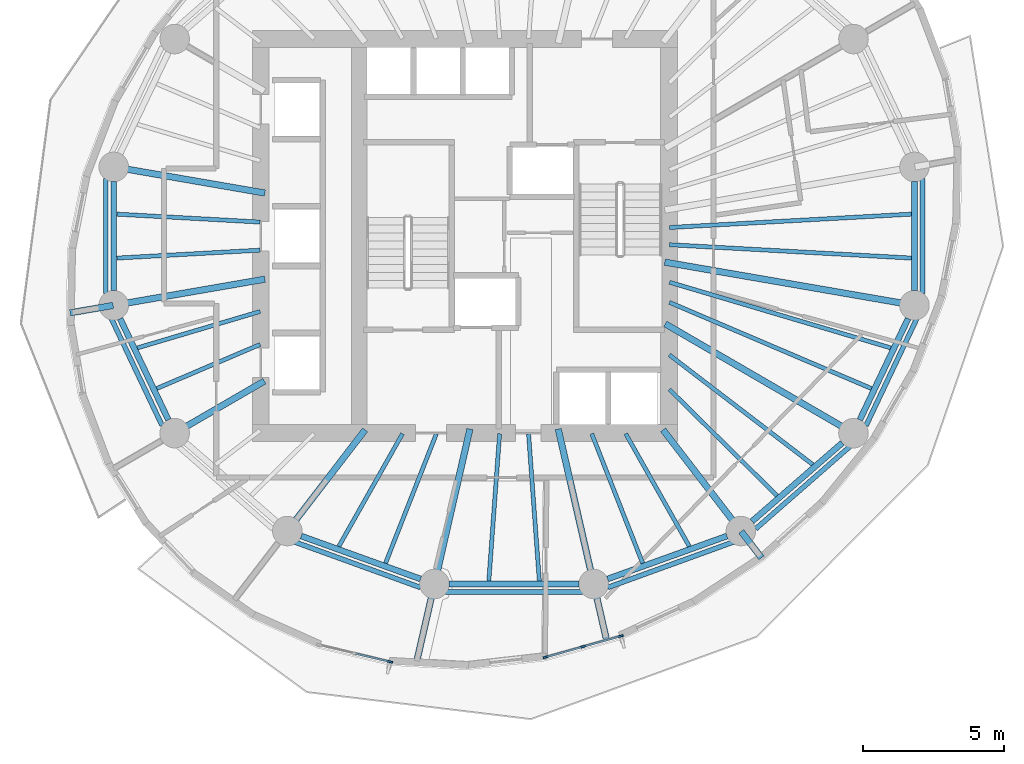
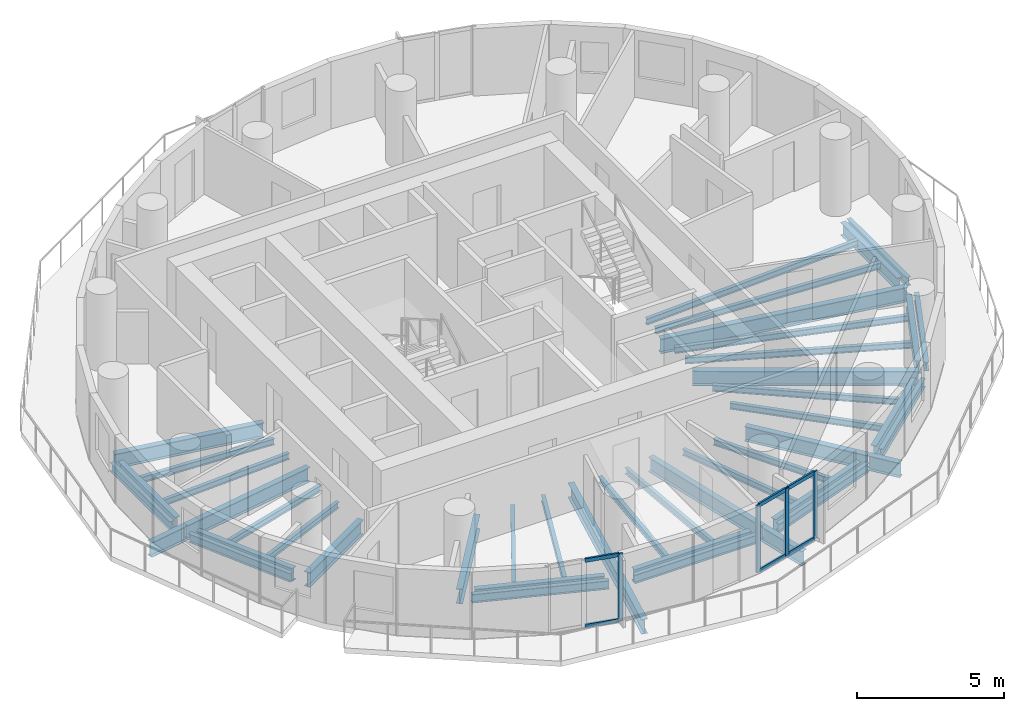
# One storey, part 2 of 13: 45 beams, 10 members, 2 elements without a shape of their own.
"""IFC4 building model written with IfcOpenShell, lengths in metres."""

import ifcopenshell
import ifcopenshell.guid

model = None  # the IFC model being written
_history = None  # IfcOwnerHistory: only IFC2X3 demands one
_inside = {}  # id of a spatial element -> (the spatial element, [elements in it])
_under = {}  # id of a project, library or spatial element -> (it, [spatial elements below it])
_declared = {}  # id of a project -> (the project, [libraries it declares])
_typed = {}  # id of a type object -> (the type object, [elements of that type])
_made_of = {}  # id of a material, layer set ... -> (it, [elements and type objects made of it])


def new_model(schema):
    """Start an empty IFC model of exactly this schema.

    Asked for "IFC4X3", IfcOpenShell would pick the latest addendum, in which some entities
    have other attributes; the version numbers below select the first issue.
    IFC2X3 requires an IfcOwnerHistory on every rooted entity: one is made here for all.
    """
    global model, _history
    if schema == "IFC4X3":
        model = ifcopenshell.file(schema_version=(4, 3, 0, 0))
    else:
        model = ifcopenshell.file(schema=schema)
    _inside.clear()
    _under.clear()
    _declared.clear()
    _typed.clear()
    _made_of.clear()
    _history = None
    if model.schema == "IFC2X3":
        org = make("IfcOrganization", Name="unknown")
        user = make(
            "IfcPersonAndOrganization",
            ThePerson=make("IfcPerson", FamilyName="unknown"),
            TheOrganization=org,
        )
        app = make(
            "IfcApplication",
            ApplicationDeveloper=org,
            Version="unknown",
            ApplicationFullName="unknown",
            ApplicationIdentifier="unknown",
        )
        _history = make(
            "IfcOwnerHistory",
            OwningUser=user,
            OwningApplication=app,
            ChangeAction="ADDED",
            CreationDate=0,
        )
    return model


def make(cls, **values):
    """One entity of the class cls with the attributes given. An attribute that is None is left unset."""
    return model.create_entity(
        cls, **{name: value for name, value in values.items() if value is not None}
    )


def rooted(cls, **values):
    """An entity with a GlobalId (a new one), such as an element, a storey or a relation."""
    return make(cls, GlobalId=ifcopenshell.guid.new(), OwnerHistory=_history, **values)


def si_unit(unit_type, name, prefix=None):
    """IfcSIUnit, for example si_unit("LENGTHUNIT", "METRE", prefix="MILLI")."""
    return make("IfcSIUnit", UnitType=unit_type, Prefix=prefix, Name=name)


def assignment(units):
    """IfcUnitAssignment: the units of a project."""
    return None if units is None else make("IfcUnitAssignment", Units=units)


def point(xyz):
    """IfcCartesianPoint."""
    return None if xyz is None else make("IfcCartesianPoint", Coordinates=xyz)


def direction(xyz):
    """IfcDirection."""
    return None if xyz is None else make("IfcDirection", DirectionRatios=xyz)


def frame(location, z_axis=None, x_axis=None):
    """IfcAxis2Placement3D, a coordinate frame: its origin and axes. An axis left out is left unset."""
    return make(
        "IfcAxis2Placement3D",
        Location=point(location),
        Axis=direction(z_axis),
        RefDirection=direction(x_axis),
    )


def frame_2d(location, x_axis=None):
    """IfcAxis2Placement2D, a coordinate frame in the plane: its origin and x axis."""
    return make(
        "IfcAxis2Placement2D", Location=point(location), RefDirection=direction(x_axis)
    )


def origin():
    """The frame at (0, 0, 0) with its axes left unset."""
    return frame((0.0, 0.0, 0.0))


def origin_2d():
    """The frame at (0, 0) in the plane with its x axis left unset."""
    return frame_2d((0.0, 0.0))


def place(relative_to, where):
    """IfcLocalPlacement: puts the frame where relative to a parent placement (None: the world)."""
    return make(
        "IfcLocalPlacement", PlacementRelTo=relative_to, RelativePlacement=where
    )


def context(
    kind, dimensions, precision=None, world=None, true_north=None, identifier=None
):
    """IfcGeometricRepresentationContext, for example the 3D "Model" context."""
    return make(
        "IfcGeometricRepresentationContext",
        ContextIdentifier=identifier,
        ContextType=kind,
        CoordinateSpaceDimension=dimensions,
        Precision=precision,
        WorldCoordinateSystem=world,
        TrueNorth=true_north,
    )


def subcontext(parent, identifier, kind, view, scale=None):
    """IfcGeometricRepresentationSubContext, for example "Body" below "Model"."""
    return make(
        "IfcGeometricRepresentationSubContext",
        ContextIdentifier=identifier,
        ContextType=kind,
        ParentContext=parent,
        TargetScale=scale,
        TargetView=view,
    )


def project(units=None, contexts=None):
    """IfcProject with its units and contexts."""
    return rooted(
        "IfcProject",
        Name="project",
        RepresentationContexts=contexts,
        UnitsInContext=assignment(units),
    )


def spatial(cls, under=None, at=None, **own):
    """A site, building, storey or space (cls), placed at a placement, below another one or the project."""
    s = rooted(cls, ObjectPlacement=at, **own)
    if under is not None:
        _under.setdefault(under.id(), (under, []))[1].append(s)
    return s


def profile(cls, at=None, kind="AREA", **sizes):
    """A parametric profile (cls). Its sizes go by their IFC names, for example OverallWidth=200.0."""
    return make(cls, ProfileType=kind, Position=at, **sizes)


def rectangle(**sizes):
    """IfcRectangleProfileDef."""
    return profile("IfcRectangleProfileDef", **sizes)


def i_section(**sizes):
    """IfcIShapeProfileDef."""
    return profile("IfcIShapeProfileDef", **sizes)


def extrude(swept, where, along, depth):
    """IfcExtrudedAreaSolid: the profile swept, set in the frame where, extruded along a direction by depth."""
    return make(
        "IfcExtrudedAreaSolid",
        SweptArea=swept,
        Position=where,
        ExtrudedDirection=direction(along),
        Depth=depth,
    )


def shape(context_of_items, identifier, shape_type, items):
    """IfcShapeRepresentation: the items that make up one representation, for example the "Body"."""
    return make(
        "IfcShapeRepresentation",
        ContextOfItems=context_of_items,
        RepresentationIdentifier=identifier,
        RepresentationType=shape_type,
        Items=items,
    )


def material(Name=None, Category=None):
    """IfcMaterial."""
    return make("IfcMaterial", Name=Name, Category=Category)


def material_profile(
    of_material, cross_section, Name=None, Category=None, Priority=None
):
    """IfcMaterialProfile: a cross section and its material."""
    return make(
        "IfcMaterialProfile",
        Name=Name,
        Material=of_material,
        Profile=cross_section,
        Priority=Priority,
        Category=Category,
    )


def profile_set(profiles, Name=None, composite=None):
    """IfcMaterialProfileSet."""
    return make(
        "IfcMaterialProfileSet",
        Name=Name,
        MaterialProfiles=profiles,
        CompositeProfile=composite,
    )


def made_of(thing, what):
    """Note that an element or type object is made of a material, layer set ...; save() writes the relation."""
    if what is not None:
        _made_of.setdefault(what.id(), (what, []))[1].append(thing)
    return thing


def type_object(cls, material=None, **own):
    """A type object (cls), such as IfcWallType, which elements share."""
    return made_of(rooted(cls, **own), material)


def element(
    cls,
    number,
    at=None,
    inside=None,
    cuts=None,
    type_object=None,
    material=None,
    context=None,
    identifier="Body",
    shape_type=None,
    held_by="IfcProductDefinitionShape",
    body=None,
    shapes=None,
    **own,
):
    """One element of the class cls, such as IfcWall. Its Tag is "e" and its number.

    at: its placement. inside: the storey or other place that contains it. cuts: it is an
    opening in that element (IfcRelVoidsElement). A single representation is given by context,
    identifier, shape_type and body (its items); several are given by shapes. held_by: the class
    of the entity that holds the representations. save() writes the other relations.
    """
    e = rooted(cls, Tag="e%d" % number, ObjectPlacement=at, **own)
    if body is not None:
        shapes = [shape(context, identifier, shape_type, body)]
    if shapes is not None:
        e.Representation = make(held_by, Representations=shapes)
    if inside is not None:
        _inside.setdefault(inside.id(), (inside, []))[1].append(e)
    if cuts is not None:
        rooted(
            "IfcRelVoidsElement", RelatingBuildingElement=cuts, RelatedOpeningElement=e
        )
    if type_object is not None:
        _typed.setdefault(type_object.id(), (type_object, []))[1].append(e)
    return made_of(e, material)


def aggregate(whole, parts):
    """IfcRelAggregates: a whole, such as a stair, and the parts it consists of."""
    return rooted("IfcRelAggregates", RelatingObject=whole, RelatedObjects=parts)


def save(model, path):
    """Write the relations noted so far, then the file.

    IfcRelAggregates (storeys below a building ...), IfcRelContainedInSpatialStructure (elements
    in a storey), IfcRelDefinesByType, IfcRelAssociatesMaterial and IfcRelDeclares: one each for
    every whole, place, type object, material and project.
    """
    for whole, parts in _under.values():
        aggregate(whole, parts)
    for where, things in _inside.values():
        rooted(
            "IfcRelContainedInSpatialStructure",
            RelatedElements=things,
            RelatingStructure=where,
        )
    for kind, things in _typed.values():
        rooted("IfcRelDefinesByType", RelatedObjects=things, RelatingType=kind)
    for what, things in _made_of.values():
        rooted("IfcRelAssociatesMaterial", RelatedObjects=things, RelatingMaterial=what)
    for by, libraries in _declared.values():
        rooted("IfcRelDeclares", RelatingContext=by, RelatedDefinitions=libraries)
    model.write(path)


model = new_model("IFC4")

# Units and contexts
model_context = context("Model", 3, precision=1e-05, world=origin(), true_north=direction((0.0, 1.0)))
body_context = subcontext(model_context, "Body", "Model", "MODEL_VIEW")
ifc_project = project(units=[si_unit("LENGTHUNIT", "METRE"), si_unit("AREAUNIT", "SQUARE_METRE"), si_unit("VOLUMEUNIT", "CUBIC_METRE"), si_unit("PLANEANGLEUNIT", "RADIAN"), si_unit("MASSUNIT", "GRAM", prefix="KILO")], contexts=[model_context])

# Site, building, storey
site_placement = place(None, origin())
site = spatial("IfcSite", under=ifc_project, at=site_placement, CompositionType="ELEMENT")
building_placement = place(site_placement, origin())
building = spatial("IfcBuilding", under=site, at=building_placement, Name="Veldorim Arch Residences", CompositionType="ELEMENT")
storey_placement = place(building_placement, frame((0.0, 0.0, 155.360107421875)))
storey = spatial("IfcBuildingStorey", under=building, at=storey_placement, Name="L46", CompositionType="ELEMENT", Elevation=155.360107421875)

# Beams
ifc_material_1 = material(Name="Steel S355", Category="steel")
ifc_material_profile_1 = material_profile(ifc_material_1, i_section(OverallWidth=0.2099609375, OverallDepth=0.53662109375, WebThickness=0.0107421875, FlangeThickness=0.017333984375, at=origin_2d()), Name="UB533x210x101")
ifc_profile_set_1 = profile_set([ifc_material_profile_1], Name="Steel S355")
beam_type_1 = type_object("IfcBeamType", Name="Structural Steel Beam UB533x210x101", PredefinedType="BEAM", material=ifc_profile_set_1)
beam_1_placement = place(storey_placement, frame((17.778564453125, 25.93310546875, -0.50830078125), z_axis=(0.0, -1.0, 0.0), x_axis=(1.0, 0.0, 0.0)))
element("IfcBeam", 1, at=beam_1_placement, inside=storey, type_object=beam_type_1, Name="L46 perimeter ring tie beam 08", PredefinedType="BEAM", context=body_context, shape_type="SweptSolid", body=[
    extrude(i_section(OverallWidth=0.2099609375, OverallDepth=0.53662109375, WebThickness=0.0107421875, FlangeThickness=0.017333984375, at=origin_2d()), origin(), (0.0, 0.0, 1.0), 3.8662109375),
])
beam_2_placement = place(storey_placement, frame((18.00439453125, 21.068115234375, -0.50830078125), z_axis=(0.43028577851, -0.902692721147, 0.0), x_axis=(0.902692721147, 0.43028577851, 0.0)))
element("IfcBeam", 2, at=beam_2_placement, inside=storey, type_object=beam_type_1, Name="L46 perimeter ring tie beam 09", PredefinedType="BEAM", context=body_context, shape_type="SweptSolid", body=[
    extrude(i_section(OverallWidth=0.2099609375, OverallDepth=0.53662109375, WebThickness=0.0107421875, FlangeThickness=0.017333984375, at=origin_2d()), origin(), (0.0, 0.0, 1.0), 3.98193359375),
])
beam_3_placement = place(storey_placement, frame((24.438232421875, 13.345703125, -0.50830078125), z_axis=(0.940899155006, -0.338686846673, 0.0), x_axis=(0.338686846673, 0.940899155006, 0.0)))
element("IfcBeam", 3, at=beam_3_placement, inside=storey, type_object=beam_type_1, Name="L46 perimeter ring tie beam 11", PredefinedType="BEAM", context=body_context, shape_type="SweptSolid", body=[
    extrude(i_section(OverallWidth=0.2099609375, OverallDepth=0.53662109375, WebThickness=0.0107421875, FlangeThickness=0.017333984375, at=origin_2d()), origin(), (0.0, 0.0, 1.0), 4.50537109375),
])
beam_4_placement = place(storey_placement, frame((29.6962890625, 11.64208984375, -0.50830078125), z_axis=(1.0, 0.0, 0.0), x_axis=(0.0, 1.0, 0.0)))
element("IfcBeam", 4, at=beam_4_placement, inside=storey, type_object=beam_type_1, Name="L46 perimeter ring tie beam 12", PredefinedType="BEAM", context=body_context, shape_type="SweptSolid", body=[
    extrude(i_section(OverallWidth=0.2099609375, OverallDepth=0.53662109375, WebThickness=0.0107421875, FlangeThickness=0.017333984375, at=origin_2d()), origin(), (0.0, 0.0, 1.0), 4.607421875),
])
beam_5_placement = place(storey_placement, frame((35.32275390625, 11.81982421875, -0.50830078125), z_axis=(0.940899155006, 0.338686846673, 0.0), x_axis=(-0.338686846673, 0.940899155006, 0.0)))
element("IfcBeam", 5, at=beam_5_placement, inside=storey, type_object=beam_type_1, Name="L46 perimeter ring tie beam 13", PredefinedType="BEAM", context=body_context, shape_type="SweptSolid", body=[
    extrude(i_section(OverallWidth=0.2099609375, OverallDepth=0.53662109375, WebThickness=0.0107421875, FlangeThickness=0.017333984375, at=origin_2d()), origin(), (0.0, 0.0, 1.0), 4.50537109375),
])
beam_6_placement = place(storey_placement, frame((40.4521484375, 13.867919921875, -0.50830078125), z_axis=(0.754810789581, 0.655942582802, 0.0), x_axis=(-0.655942582802, 0.754810789581, 0.0)))
element("IfcBeam", 6, at=beam_6_placement, inside=storey, type_object=beam_type_1, Name="L46 perimeter ring tie beam 14", PredefinedType="BEAM", context=body_context, shape_type="SweptSolid", body=[
    extrude(i_section(OverallWidth=0.2099609375, OverallDepth=0.53662109375, WebThickness=0.0107421875, FlangeThickness=0.017333984375, at=origin_2d()), origin(), (0.0, 0.0, 1.0), 4.249755859375),
])
beam_7_placement = place(storey_placement, frame((44.2822265625, 17.4736328125, -0.50830078125), z_axis=(0.43028577851, 0.902692721147, 0.0), x_axis=(-0.902692721147, 0.43028577851, 0.0)))
element("IfcBeam", 7, at=beam_7_placement, inside=storey, type_object=beam_type_1, Name="L46 perimeter ring tie beam 15", PredefinedType="BEAM", context=body_context, shape_type="SweptSolid", body=[
    extrude(i_section(OverallWidth=0.2099609375, OverallDepth=0.53662109375, WebThickness=0.0107421875, FlangeThickness=0.017333984375, at=origin_2d()), origin(), (0.0, 0.0, 1.0), 3.98193359375),
])
beam_8_placement = place(storey_placement, frame((46.221435546875, 22.06689453125, -0.50830078125), z_axis=(0.0, 1.0, 0.0), x_axis=(-1.0, 0.0, 0.0)))
element("IfcBeam", 8, at=beam_8_placement, inside=storey, type_object=beam_type_1, Name="L46 perimeter ring tie beam 16", PredefinedType="BEAM", context=body_context, shape_type="SweptSolid", body=[
    extrude(i_section(OverallWidth=0.2099609375, OverallDepth=0.53662109375, WebThickness=0.0107421875, FlangeThickness=0.017333984375, at=origin_2d()), origin(), (0.0, 0.0, 1.0), 3.8662109375),
])
ifc_material_2 = material(Name="Steel S355", Category="steel")
ifc_material_profile_2 = material_profile(ifc_material_2, i_section(OverallWidth=0.22900390625, OverallDepth=0.6123046875, WebThickness=0.011962890625, FlangeThickness=0.01953125, at=origin_2d()), Name="UB610x229x125")
ifc_profile_set_2 = profile_set([ifc_material_profile_2], Name="Steel S355")
beam_type_2 = type_object("IfcBeamType", Name="Structural Steel Beam UB610x229x125", PredefinedType="BEAM", material=ifc_profile_set_2)
for number, where, z_axis, x_axis, name in (
    (9, (23.147705078125, 25.530029296875, -0.546142578125), (-0.985390445301, 0.170310511449, 0.0), (-0.170310511449, -0.985390445301, 0.0), "L46 radial floor girder 08"),
    (10, (23.147705078125, 22.469970703125, -0.546142578125), (-0.985390445301, -0.170310511449, 0.0), (0.170310511449, -0.985390445301, 0.0), "L46 radial floor girder 09"),
):
    element("IfcBeam", number, at=place(storey_placement, frame(where, z_axis=z_axis, x_axis=x_axis)), inside=storey, type_object=beam_type_2, Name=name, PredefinedType="BEAM", context=body_context, shape_type="SweptSolid", body=[
        extrude(i_section(OverallWidth=0.22900390625, OverallDepth=0.6123046875, WebThickness=0.011962890625, FlangeThickness=0.01953125, at=origin_2d()), origin(), (0.0, 0.0, 1.0), 5.4287109375),
    ])
beam_9_placement = place(storey_placement, frame((17.7587890625, 21.53857421875, -0.546142578125), z_axis=(-0.985381977132, -0.170359499715, 0.0), x_axis=(0.170359499715, -0.985381977132, 0.0)))
element("IfcBeam", 11, at=beam_9_placement, inside=storey, type_object=beam_type_2, Name="L46 radial edge cantilever girder 09", PredefinedType="BEAM", context=body_context, shape_type="SweptSolid", body=[
    extrude(i_section(OverallWidth=0.22900390625, OverallDepth=0.6123046875, WebThickness=0.011962890625, FlangeThickness=0.01953125, at=origin_2d()), origin(), (0.0, 0.0, 1.0), 1.553466796875),
])
beam_10_placement = place(storey_placement, frame((23.129638671875, 18.849609375, -0.546142578125), z_axis=(-0.864794546612, -0.502125872815, 0.0), x_axis=(0.502125872815, -0.864794546612, 0.0)))
element("IfcBeam", 12, at=beam_10_placement, inside=storey, type_object=beam_type_2, Name="L46 radial floor girder 10", PredefinedType="BEAM", context=body_context, shape_type="SweptSolid", body=[
    extrude(i_section(OverallWidth=0.22900390625, OverallDepth=0.6123046875, WebThickness=0.011962890625, FlangeThickness=0.01953125, at=origin_2d()), origin(), (0.0, 0.0, 1.0), 3.6640625),
])
beam_11_placement = place(storey_placement, frame((26.708740234375, 17.118896484375, -0.546142578125), z_axis=(-0.609559199361, -0.792740551804, 0.0), x_axis=(0.792740551804, -0.609559199361, 0.0)))
element("IfcBeam", 13, at=beam_11_placement, inside=storey, type_object=beam_type_2, Name="L46 radial floor girder 11", PredefinedType="BEAM", context=body_context, shape_type="SweptSolid", body=[
    extrude(i_section(OverallWidth=0.22900390625, OverallDepth=0.6123046875, WebThickness=0.011962890625, FlangeThickness=0.01953125, at=origin_2d()), origin(), (0.0, 0.0, 1.0), 4.515380859375),
])
beam_12_placement = place(storey_placement, frame((30.43115234375, 17.146240234375, -0.546142578125), z_axis=(-0.223119342184, -0.974791136164, 0.0), x_axis=(0.974791136164, -0.223119342184, 0.0)))
element("IfcBeam", 14, at=beam_12_placement, inside=storey, type_object=beam_type_2, Name="L46 radial floor girder 12", PredefinedType="BEAM", context=body_context, shape_type="SweptSolid", body=[
    extrude(i_section(OverallWidth=0.22900390625, OverallDepth=0.6123046875, WebThickness=0.011962890625, FlangeThickness=0.01953125, at=origin_2d()), origin(), (0.0, 0.0, 1.0), 5.62646484375),
])
beam_13_placement = place(storey_placement, frame((29.166748046875, 11.62255859375, -0.546142578125), z_axis=(-0.223165160946, -0.974780647602, 0.0), x_axis=(0.974780647602, -0.223165160946, 0.0)))
element("IfcBeam", 15, at=beam_13_placement, inside=storey, type_object=beam_type_2, Name="L46 radial edge cantilever girder 12", PredefinedType="BEAM", context=body_context, shape_type="SweptSolid", body=[
    extrude(i_section(OverallWidth=0.22900390625, OverallDepth=0.6123046875, WebThickness=0.011962890625, FlangeThickness=0.01953125, at=origin_2d()), origin(), (0.0, 0.0, 1.0), 2.863037109375),
])
beam_14_placement = place(storey_placement, frame((33.56884765625, 17.146240234375, -0.546142578125), z_axis=(0.223119342184, -0.974791136164, 0.0), x_axis=(0.974791136164, 0.223119342184, 0.0)))
element("IfcBeam", 16, at=beam_14_placement, inside=storey, type_object=beam_type_2, Name="L46 radial floor girder 13", PredefinedType="BEAM", context=body_context, shape_type="SweptSolid", body=[
    extrude(i_section(OverallWidth=0.22900390625, OverallDepth=0.6123046875, WebThickness=0.011962890625, FlangeThickness=0.01953125, at=origin_2d()), origin(), (0.0, 0.0, 1.0), 5.62646484375),
])
beam_15_placement = place(storey_placement, frame((34.833251953125, 11.62255859375, -0.546142578125), z_axis=(0.223121447398, -0.9747906543, 0.0), x_axis=(0.9747906543, 0.223121447398, 0.0)))
element("IfcBeam", 17, at=beam_15_placement, inside=storey, type_object=beam_type_2, Name="L46 radial edge cantilever girder 13", PredefinedType="BEAM", context=body_context, shape_type="SweptSolid", body=[
    extrude(i_section(OverallWidth=0.22900390625, OverallDepth=0.6123046875, WebThickness=0.011962890625, FlangeThickness=0.01953125, at=origin_2d()), origin(), (0.0, 0.0, 1.0), 2.01123046875),
])
beam_16_placement = place(storey_placement, frame((37.291259765625, 17.118896484375, -0.546142578125), z_axis=(0.609559199361, -0.792740551804, 0.0), x_axis=(0.792740551804, 0.609559199361, 0.0)))
element("IfcBeam", 18, at=beam_16_placement, inside=storey, type_object=beam_type_2, Name="L46 radial floor girder 14", PredefinedType="BEAM", context=body_context, shape_type="SweptSolid", body=[
    extrude(i_section(OverallWidth=0.22900390625, OverallDepth=0.6123046875, WebThickness=0.011962890625, FlangeThickness=0.01953125, at=origin_2d()), origin(), (0.0, 0.0, 1.0), 4.515380859375),
])
beam_17_placement = place(storey_placement, frame((40.068115234375, 13.507568359375, -0.546142578125), z_axis=(0.609460700879, -0.792816280158, 0.0), x_axis=(0.792816280158, 0.609460700879, 0.0)))
element("IfcBeam", 19, at=beam_17_placement, inside=storey, type_object=beam_type_2, Name="L46 radial edge cantilever girder 14", PredefinedType="BEAM", context=body_context, shape_type="SweptSolid", body=[
    extrude(i_section(OverallWidth=0.22900390625, OverallDepth=0.6123046875, WebThickness=0.011962890625, FlangeThickness=0.01953125, at=origin_2d()), origin(), (0.0, 0.0, 1.0), 1.1796875),
])
beam_18_placement = place(storey_placement, frame((37.370361328125, 20.8818359375, -0.546142578125), z_axis=(0.864793381443, -0.502127879542, 0.0), x_axis=(0.502127879542, 0.864793381443, 0.0)))
element("IfcBeam", 20, at=beam_18_placement, inside=storey, type_object=beam_type_2, Name="L46 radial floor girder 15", PredefinedType="BEAM", context=body_context, shape_type="SweptSolid", body=[
    extrude(i_section(OverallWidth=0.22900390625, OverallDepth=0.6123046875, WebThickness=0.011962890625, FlangeThickness=0.01953125, at=origin_2d()), origin(), (0.0, 0.0, 1.0), 7.71142578125),
])
beam_19_placement = place(storey_placement, frame((37.352294921875, 23.074951171875, -0.546142578125), z_axis=(0.985389398766, -0.170316566427, 0.0), x_axis=(0.170316566427, 0.985389398766, 0.0)))
element("IfcBeam", 21, at=beam_19_placement, inside=storey, type_object=beam_type_2, Name="L46 radial floor girder 16", PredefinedType="BEAM", context=body_context, shape_type="SweptSolid", body=[
    extrude(i_section(OverallWidth=0.22900390625, OverallDepth=0.6123046875, WebThickness=0.011962890625, FlangeThickness=0.01953125, at=origin_2d()), origin(), (0.0, 0.0, 1.0), 8.98046875),
])
ifc_material_3 = material(Name="Steel S355", Category="steel")
ifc_material_profile_3 = material_profile(ifc_material_3, i_section(OverallWidth=0.146484375, OverallDepth=0.256103515625, WebThickness=0.00634765625, FlangeThickness=0.010986328125, at=origin_2d()), Name="UB254x146x37")
ifc_profile_set_3 = profile_set([ifc_material_profile_3], Name="Steel S355")
beam_type_3 = type_object("IfcBeamType", Name="Structural Steel Joist UB254x146x37", PredefinedType="JOIST", material=ifc_profile_set_3)
for number, where, z_axis, x_axis, name in (
    (22, (22.97998046875, 24.498779296875, -0.3681640625), (-0.998472994317, 0.055242009562, 0.0), (-0.055242009562, -0.998472994317, 0.0), "L46 secondary radial floor joist 08-1"),
    (23, (22.97998046875, 23.501220703125, -0.3681640625), (-0.998472994317, -0.055242009562, 0.0), (0.055242009562, -0.998472994317, 0.0), "L46 secondary radial floor joist 08-2"),
):
    element("IfcBeam", number, at=place(storey_placement, frame(where, z_axis=z_axis, x_axis=x_axis)), inside=storey, type_object=beam_type_3, Name=name, PredefinedType="JOIST", context=body_context, shape_type="SweptSolid", body=[
        extrude(i_section(OverallWidth=0.146484375, OverallDepth=0.256103515625, WebThickness=0.00634765625, FlangeThickness=0.010986328125, at=origin_2d()), origin(), (0.0, 0.0, 1.0), 5.10009765625),
    ])
beam_20_placement = place(storey_placement, frame((22.980712890625, 21.322998046875, -0.3681640625), z_axis=(-0.95868163277, -0.284481154014, 0.0), x_axis=(0.284481154014, -0.95868163277, 0.0)))
element("IfcBeam", 24, at=beam_20_placement, inside=storey, type_object=beam_type_3, Name="L46 secondary radial floor joist 09-1", PredefinedType="JOIST", context=body_context, shape_type="SweptSolid", body=[
    extrude(i_section(OverallWidth=0.146484375, OverallDepth=0.256103515625, WebThickness=0.00634765625, FlangeThickness=0.010986328125, at=origin_2d()), origin(), (0.0, 0.0, 1.0), 4.54931640625),
])
beam_21_placement = place(storey_placement, frame((22.981689453125, 20.15380859375, -0.3681640625), z_axis=(-0.919823469329, -0.392332493265, 0.0), x_axis=(0.392332493265, -0.919823469329, 0.0)))
element("IfcBeam", 25, at=beam_21_placement, inside=storey, type_object=beam_type_3, Name="L46 secondary radial floor joist 09-2", PredefinedType="JOIST", context=body_context, shape_type="SweptSolid", body=[
    extrude(i_section(OverallWidth=0.146484375, OverallDepth=0.256103515625, WebThickness=0.00634765625, FlangeThickness=0.010986328125, at=origin_2d()), origin(), (0.0, 0.0, 1.0), 3.993896484375),
])
beam_22_placement = place(storey_placement, frame((28.03662109375, 16.982666015625, -0.3681640625), z_axis=(-0.491815801586, -0.870699269157, 0.0), x_axis=(0.870699269157, -0.491815801586, 0.0)))
element("IfcBeam", 26, at=beam_22_placement, inside=storey, type_object=beam_type_3, Name="L46 secondary radial floor joist 11-1", PredefinedType="JOIST", context=body_context, shape_type="SweptSolid", body=[
    extrude(i_section(OverallWidth=0.146484375, OverallDepth=0.256103515625, WebThickness=0.00634765625, FlangeThickness=0.010986328125, at=origin_2d()), origin(), (0.0, 0.0, 1.0), 4.59814453125),
])
beam_23_placement = place(storey_placement, frame((29.2412109375, 16.9814453125, -0.3681640625), z_axis=(-0.365777738491, -0.930702232739, 0.0), x_axis=(0.930702232739, -0.365777738491, 0.0)))
element("IfcBeam", 27, at=beam_23_placement, inside=storey, type_object=beam_type_3, Name="L46 secondary radial floor joist 11-2", PredefinedType="JOIST", context=body_context, shape_type="SweptSolid", body=[
    extrude(i_section(OverallWidth=0.146484375, OverallDepth=0.256103515625, WebThickness=0.00634765625, FlangeThickness=0.010986328125, at=origin_2d()), origin(), (0.0, 0.0, 1.0), 4.9404296875),
])
for number, where, z_axis, x_axis, name in (
    (28, (31.48583984375, 16.97998046875, -0.3681640625), (-0.073060364166, -0.997327520521, 0.0), (0.997327520521, -0.073060364166, 0.0), "L46 secondary radial floor joist 12-1"),
    (29, (32.51416015625, 16.97998046875, -0.3681640625), (0.073060364166, -0.997327520521, 0.0), (0.997327520521, 0.073060364166, 0.0), "L46 secondary radial floor joist 12-2"),
):
    element("IfcBeam", number, at=place(storey_placement, frame(where, z_axis=z_axis, x_axis=x_axis)), inside=storey, type_object=beam_type_3, Name=name, PredefinedType="JOIST", context=body_context, shape_type="SweptSolid", body=[
        extrude(i_section(OverallWidth=0.146484375, OverallDepth=0.256103515625, WebThickness=0.00634765625, FlangeThickness=0.010986328125, at=origin_2d()), origin(), (0.0, 0.0, 1.0), 5.242919921875),
    ])
beam_24_placement = place(storey_placement, frame((34.7587890625, 16.9814453125, -0.3681640625), z_axis=(0.365777738491, -0.930702232739, 0.0), x_axis=(0.930702232739, 0.365777738491, 0.0)))
element("IfcBeam", 30, at=beam_24_placement, inside=storey, type_object=beam_type_3, Name="L46 secondary radial floor joist 13-1", PredefinedType="JOIST", context=body_context, shape_type="SweptSolid", body=[
    extrude(i_section(OverallWidth=0.146484375, OverallDepth=0.256103515625, WebThickness=0.00634765625, FlangeThickness=0.010986328125, at=origin_2d()), origin(), (0.0, 0.0, 1.0), 4.9404296875),
])
beam_25_placement = place(storey_placement, frame((35.96337890625, 16.982666015625, -0.3681640625), z_axis=(0.491815801586, -0.870699269157, 0.0), x_axis=(0.870699269157, 0.491815801586, 0.0)))
element("IfcBeam", 31, at=beam_25_placement, inside=storey, type_object=beam_type_3, Name="L46 secondary radial floor joist 13-2", PredefinedType="JOIST", context=body_context, shape_type="SweptSolid", body=[
    extrude(i_section(OverallWidth=0.146484375, OverallDepth=0.256103515625, WebThickness=0.00634765625, FlangeThickness=0.010986328125, at=origin_2d()), origin(), (0.0, 0.0, 1.0), 4.59814453125),
])
beam_26_placement = place(storey_placement, frame((37.51416015625, 18.556884765625, -0.3681640625), z_axis=(0.711703457158, -0.702480027523, 0.0), x_axis=(0.702480027523, 0.711703457158, 0.0)))
element("IfcBeam", 32, at=beam_26_placement, inside=storey, type_object=beam_type_3, Name="L46 secondary radial floor joist 14-1", PredefinedType="JOIST", context=body_context, shape_type="SweptSolid", body=[
    extrude(i_section(OverallWidth=0.146484375, OverallDepth=0.256103515625, WebThickness=0.00634765625, FlangeThickness=0.010986328125, at=origin_2d()), origin(), (0.0, 0.0, 1.0), 5.373291015625),
])
beam_27_placement = place(storey_placement, frame((37.515869140625, 19.780517578125, -0.3681640625), z_axis=(0.794267053144, -0.607568801281, 0.0), x_axis=(0.607568801281, 0.794267053144, 0.0)))
element("IfcBeam", 33, at=beam_27_placement, inside=storey, type_object=beam_type_3, Name="L46 secondary radial floor joist 14-2", PredefinedType="JOIST", context=body_context, shape_type="SweptSolid", body=[
    extrude(i_section(OverallWidth=0.146484375, OverallDepth=0.256103515625, WebThickness=0.00634765625, FlangeThickness=0.010986328125, at=origin_2d()), origin(), (0.0, 0.0, 1.0), 6.412841796875),
])
beam_28_placement = place(storey_placement, frame((37.518310546875, 21.646484375, -0.3681640625), z_axis=(0.919831795434, -0.39231297214, 0.0), x_axis=(0.39231297214, 0.919831795434, 0.0)))
element("IfcBeam", 34, at=beam_28_placement, inside=storey, type_object=beam_type_3, Name="L46 secondary radial floor joist 15-1", PredefinedType="JOIST", context=body_context, shape_type="SweptSolid", body=[
    extrude(i_section(OverallWidth=0.146484375, OverallDepth=0.256103515625, WebThickness=0.00634765625, FlangeThickness=0.010986328125, at=origin_2d()), origin(), (0.0, 0.0, 1.0), 7.798828125),
])
beam_29_placement = place(storey_placement, frame((37.519287109375, 22.36181640625, -0.3681640625), z_axis=(0.958674276305, -0.284505943614, 0.0), x_axis=(0.284505943614, 0.958674276305, 0.0)))
element("IfcBeam", 35, at=beam_29_placement, inside=storey, type_object=beam_type_3, Name="L46 secondary radial floor joist 15-2", PredefinedType="JOIST", context=body_context, shape_type="SweptSolid", body=[
    extrude(i_section(OverallWidth=0.146484375, OverallDepth=0.256103515625, WebThickness=0.00634765625, FlangeThickness=0.010986328125, at=origin_2d()), origin(), (0.0, 0.0, 1.0), 8.2001953125),
])
for number, where, z_axis, x_axis, name in (
    (36, (37.52001953125, 23.694580078125, -0.3681640625), (0.998474809964, -0.055209182821, 0.0), (0.055209182821, 0.998474809964, 0.0), "L46 secondary radial floor joist 16-1"),
    (37, (37.52001953125, 24.305419921875, -0.3681640625), (0.998474809964, 0.055209182821, 0.0), (-0.055209182821, 0.998474809964, 0.0), "L46 secondary radial floor joist 16-2"),
):
    element("IfcBeam", number, at=place(storey_placement, frame(where, z_axis=z_axis, x_axis=x_axis)), inside=storey, type_object=beam_type_3, Name=name, PredefinedType="JOIST", context=body_context, shape_type="SweptSolid", body=[
        extrude(i_section(OverallWidth=0.146484375, OverallDepth=0.256103515625, WebThickness=0.00634765625, FlangeThickness=0.010986328125, at=origin_2d()), origin(), (0.0, 0.0, 1.0), 8.60546875),
    ])
ifc_material_4 = material(Name="Steel S355", Category="steel")
ifc_material_profile_4 = material_profile(ifc_material_4, i_section(OverallWidth=0.172119140625, OverallDepth=0.35791015625, WebThickness=0.008056640625, FlangeThickness=0.012939453125, at=origin_2d()), Name="UB356x171x57")
ifc_profile_set_4 = profile_set([ifc_material_profile_4], Name="Steel S355")
beam_type_4 = type_object("IfcBeamType", Name="Structural Steel Spandrel UB356x171x57", PredefinedType="SPANDREL", material=ifc_profile_set_4)
beam_30_placement = place(storey_placement, frame((17.494140625, 26.04541015625, -0.439208984375), z_axis=(0.0, -1.0, 0.0), x_axis=(1.0, 0.0, 0.0)))
element("IfcBeam", 38, at=beam_30_placement, inside=storey, type_object=beam_type_4, Name="L46 perimeter chord spandrel beam 08", PredefinedType="SPANDREL", context=body_context, shape_type="SweptSolid", body=[
    extrude(i_section(OverallWidth=0.172119140625, OverallDepth=0.35791015625, WebThickness=0.008056640625, FlangeThickness=0.012939453125, at=origin_2d()), origin(), (0.0, 0.0, 1.0), 4.0908203125),
])
beam_31_placement = place(storey_placement, frame((17.692138671875, 21.0751953125, -0.439208984375), z_axis=(0.428579957662, -0.903503857153, 0.0), x_axis=(0.903503857153, 0.428579957662, 0.0)))
element("IfcBeam", 39, at=beam_31_placement, inside=storey, type_object=beam_type_4, Name="L46 perimeter chord spandrel beam 09", PredefinedType="SPANDREL", context=body_context, shape_type="SweptSolid", body=[
    extrude(i_section(OverallWidth=0.172119140625, OverallDepth=0.35791015625, WebThickness=0.008056640625, FlangeThickness=0.012939453125, at=origin_2d()), origin(), (0.0, 0.0, 1.0), 4.209228515625),
])
beam_32_placement = place(storey_placement, frame((24.20263671875, 13.13720703125, -0.439208984375), z_axis=(0.940212553113, -0.340588248429, 0.0), x_axis=(0.340588248429, 0.940212553113, 0.0)))
element("IfcBeam", 40, at=beam_32_placement, inside=storey, type_object=beam_type_4, Name="L46 perimeter chord spandrel beam 11", PredefinedType="SPANDREL", context=body_context, shape_type="SweptSolid", body=[
    extrude(i_section(OverallWidth=0.172119140625, OverallDepth=0.35791015625, WebThickness=0.008056640625, FlangeThickness=0.012939453125, at=origin_2d()), origin(), (0.0, 0.0, 1.0), 4.75390625),
])
beam_33_placement = place(storey_placement, frame((29.56884765625, 11.360595703125, -0.439208984375), z_axis=(1.0, 0.0, 0.0), x_axis=(0.0, 1.0, 0.0)))
element("IfcBeam", 41, at=beam_33_placement, inside=storey, type_object=beam_type_4, Name="L46 perimeter chord spandrel beam 12", PredefinedType="SPANDREL", context=body_context, shape_type="SweptSolid", body=[
    extrude(i_section(OverallWidth=0.172119140625, OverallDepth=0.35791015625, WebThickness=0.008056640625, FlangeThickness=0.012939453125, at=origin_2d()), origin(), (0.0, 0.0, 1.0), 4.8623046875),
])
beam_34_placement = place(storey_placement, frame((35.32763671875, 11.51806640625, -0.439208984375), z_axis=(0.940212553113, 0.340588248429, 0.0), x_axis=(-0.340588248429, 0.940212553113, 0.0)))
element("IfcBeam", 42, at=beam_34_placement, inside=storey, type_object=beam_type_4, Name="L46 perimeter chord spandrel beam 13", PredefinedType="SPANDREL", context=body_context, shape_type="SweptSolid", body=[
    extrude(i_section(OverallWidth=0.172119140625, OverallDepth=0.35791015625, WebThickness=0.008056640625, FlangeThickness=0.012939453125, at=origin_2d()), origin(), (0.0, 0.0, 1.0), 4.75390625),
])
beam_35_placement = place(storey_placement, frame((40.57958984375, 13.5986328125, -0.439208984375), z_axis=(0.753014748982, 0.658003638148, 0.0), x_axis=(-0.658003638148, 0.753014748982, 0.0)))
element("IfcBeam", 43, at=beam_35_placement, inside=storey, type_object=beam_type_4, Name="L46 perimeter chord spandrel beam 14", PredefinedType="SPANDREL", context=body_context, shape_type="SweptSolid", body=[
    extrude(i_section(OverallWidth=0.172119140625, OverallDepth=0.35791015625, WebThickness=0.008056640625, FlangeThickness=0.012939453125, at=origin_2d()), origin(), (0.0, 0.0, 1.0), 4.486572265625),
])
beam_36_placement = place(storey_placement, frame((44.50390625, 17.272216796875, -0.439208984375), z_axis=(0.428579957662, 0.903503857153, 0.0), x_axis=(-0.903503857153, 0.428579957662, 0.0)))
element("IfcBeam", 44, at=beam_36_placement, inside=storey, type_object=beam_type_4, Name="L46 perimeter chord spandrel beam 15", PredefinedType="SPANDREL", context=body_context, shape_type="SweptSolid", body=[
    extrude(i_section(OverallWidth=0.172119140625, OverallDepth=0.35791015625, WebThickness=0.008056640625, FlangeThickness=0.012939453125, at=origin_2d()), origin(), (0.0, 0.0, 1.0), 4.209228515625),
])
beam_37_placement = place(storey_placement, frame((46.505859375, 21.95458984375, -0.439208984375), z_axis=(0.0, 1.0, 0.0), x_axis=(-1.0, 0.0, 0.0)))
element("IfcBeam", 45, at=beam_37_placement, inside=storey, type_object=beam_type_4, Name="L46 perimeter chord spandrel beam 16", PredefinedType="SPANDREL", context=body_context, shape_type="SweptSolid", body=[
    extrude(i_section(OverallWidth=0.172119140625, OverallDepth=0.35791015625, WebThickness=0.008056640625, FlangeThickness=0.012939453125, at=origin_2d()), origin(), (0.0, 0.0, 1.0), 4.0908203125),
])

# Curtain wall, member
ifc_material_5 = material(Name="Aluminium", Category="aluminium")
curtain_wall_type = type_object("IfcCurtainWallType", Name="Zone 3 High-Wind Unitised Curtain Wall", PredefinedType="NOTDEFINED", material=ifc_material_5)
curtain_wall_1_placement = place(storey_placement, origin())
curtain_wall_1 = element("IfcCurtainWall", 46, at=curtain_wall_1_placement, inside=storey, type_object=curtain_wall_type, Name="L46 unitised curtain wall bay 22", PredefinedType="NOTDEFINED")
ifc_material_6 = material(Name="Aluminium", Category="aluminium")
ifc_material_profile_5 = material_profile(ifc_material_6, rectangle(XDim=0.070068359375, YDim=0.179931640625, at=origin_2d()), Name="ALU_MUL_70x180")
ifc_profile_set_5 = profile_set([ifc_material_profile_5], Name="Aluminium")
member_type_1 = type_object("IfcMemberType", Name="Zone 3 High-Wind Unitised Curtain Wall Mullion 70x180", PredefinedType="MULLION", material=ifc_profile_set_5)
member_1_placement = place(storey_placement, frame((27.5986328125, 8.880126953125, 0.0), z_axis=(0.0, 0.0, 1.0), x_axis=(-0.230956858022, -0.972963992002, 0.0)))
member_1 = element("IfcMember", 47, at=member_1_placement, type_object=member_type_1, Name="CW-Z3 mullion 1", PredefinedType="MULLION", context=body_context, shape_type="SweptSolid", body=[
    extrude(rectangle(XDim=0.070068359375, YDim=0.179931640625, at=origin_2d()), origin(), (0.0, 0.0, 1.0), 2.7998046875),
])

# Curtain wall, members
curtain_wall_2_placement = place(storey_placement, origin())
curtain_wall_2 = element("IfcCurtainWall", 48, at=curtain_wall_2_placement, inside=storey, type_object=curtain_wall_type, Name="L46 unitised curtain wall bay 25", PredefinedType="NOTDEFINED")
member_2_placement = place(storey_placement, frame((35.79150390625, 9.795166015625, 0.0), z_axis=(0.0, 0.0, 1.0), x_axis=(0.271100567037, -0.962551028545, 0.0)))
member_2 = element("IfcMember", 49, at=member_2_placement, type_object=member_type_1, Name="CW-Z3 mullion 1", PredefinedType="MULLION", context=body_context, shape_type="SweptSolid", body=[
    extrude(rectangle(XDim=0.070068359375, YDim=0.179931640625, at=origin_2d()), origin(), (0.0, 0.0, 1.0), 2.7998046875),
])
member_3_placement = place(storey_placement, frame((34.455078125, 9.418701171875, 0.0), z_axis=(0.0, 0.0, 1.0), x_axis=(0.271100567037, -0.962551028545, 0.0)))
member_3 = element("IfcMember", 50, at=member_3_placement, type_object=member_type_1, Name="CW-Z3 mullion 2", PredefinedType="MULLION", context=body_context, shape_type="SweptSolid", body=[
    extrude(rectangle(XDim=0.070068359375, YDim=0.179931640625, at=origin_2d()), origin(), (0.0, 0.0, 1.0), 2.7998046875),
])
member_4_placement = place(storey_placement, frame((33.11865234375, 9.04248046875, 0.0), z_axis=(0.0, 0.0, 1.0), x_axis=(0.271100567037, -0.962551028545, 0.0)))
member_4 = element("IfcMember", 51, at=member_4_placement, type_object=member_type_1, Name="CW-Z3 mullion 3", PredefinedType="MULLION", context=body_context, shape_type="SweptSolid", body=[
    extrude(rectangle(XDim=0.070068359375, YDim=0.179931640625, at=origin_2d()), origin(), (0.0, 0.0, 1.0), 2.7998046875),
])

# Member
ifc_material_7 = material(Name="Aluminium", Category="aluminium")
ifc_material_profile_6 = material_profile(ifc_material_7, rectangle(XDim=0.070068359375, YDim=0.155029296875, at=origin_2d()), Name="ALU_TRN_70x155")
ifc_profile_set_6 = profile_set([ifc_material_profile_6], Name="Aluminium")
member_type_2 = type_object("IfcMemberType", Name="Zone 3 High-Wind Unitised Curtain Wall Transom 70x155", PredefinedType="USERDEFINED", material=ifc_profile_set_6)
member_5_placement = place(storey_placement, frame((27.564697265625, 8.88818359375, 0.034912109375), z_axis=(-0.972955574019, 0.230992318023, 0.0), x_axis=(-0.230992318023, -0.972955574019, 0.0)))
member_5 = element("IfcMember", 52, at=member_5_placement, type_object=member_type_2, Name="CW-Z3 transom 1.1", ObjectType="TRANSOM", PredefinedType="USERDEFINED", context=body_context, shape_type="SweptSolid", body=[
    extrude(rectangle(XDim=0.070068359375, YDim=0.155029296875, at=origin_2d()), origin(), (0.0, 0.0, 1.0), 1.22607421875),
])

member_6_placement = place(storey_placement, frame((27.564697265625, 8.88818359375, 2.764892578125), z_axis=(-0.972955574019, 0.230992318023, 0.0), x_axis=(-0.230992318023, -0.972955574019, 0.0)))
member_6 = element("IfcMember", 53, at=member_6_placement, type_object=member_type_2, Name="CW-Z3 transom 1.2", ObjectType="TRANSOM", PredefinedType="USERDEFINED", context=body_context, shape_type="SweptSolid", body=[
    extrude(rectangle(XDim=0.070068359375, YDim=0.155029296875, at=origin_2d()), origin(), (0.0, 0.0, 1.0), 1.22607421875),
])

aggregate(curtain_wall_1, [member_1, member_5, member_6])

member_7_placement = place(storey_placement, frame((35.7578125, 9.78564453125, 0.034912109375), z_axis=(-0.962551331846, -0.271099490154, 0.0), x_axis=(0.271099490154, -0.962551331846, 0.0)))
member_7 = element("IfcMember", 54, at=member_7_placement, type_object=member_type_2, Name="CW-Z3 transom 1.1", ObjectType="TRANSOM", PredefinedType="USERDEFINED", context=body_context, shape_type="SweptSolid", body=[
    extrude(rectangle(XDim=0.070068359375, YDim=0.155029296875, at=origin_2d()), origin(), (0.0, 0.0, 1.0), 1.318359375),
])

member_8_placement = place(storey_placement, frame((35.7578125, 9.78564453125, 2.764892578125), z_axis=(-0.962551331846, -0.271099490154, 0.0), x_axis=(0.271099490154, -0.962551331846, 0.0)))
member_8 = element("IfcMember", 55, at=member_8_placement, type_object=member_type_2, Name="CW-Z3 transom 1.2", ObjectType="TRANSOM", PredefinedType="USERDEFINED", context=body_context, shape_type="SweptSolid", body=[
    extrude(rectangle(XDim=0.070068359375, YDim=0.155029296875, at=origin_2d()), origin(), (0.0, 0.0, 1.0), 1.318359375),
])

member_9_placement = place(storey_placement, frame((34.42138671875, 9.409423828125, 0.034912109375), z_axis=(-0.962502997504, -0.271271044891, 0.0), x_axis=(0.271271044891, -0.962502997504, 0.0)))
member_9 = element("IfcMember", 56, at=member_9_placement, type_object=member_type_2, Name="CW-Z3 transom 2.1", ObjectType="TRANSOM", PredefinedType="USERDEFINED", context=body_context, shape_type="SweptSolid", body=[
    extrude(rectangle(XDim=0.070068359375, YDim=0.155029296875, at=origin_2d()), origin(), (0.0, 0.0, 1.0), 1.318603515625),
])

member_10_placement = place(storey_placement, frame((34.42138671875, 9.409423828125, 2.764892578125), z_axis=(-0.962502997504, -0.271271044891, 0.0), x_axis=(0.271271044891, -0.962502997504, 0.0)))
member_10 = element("IfcMember", 57, at=member_10_placement, type_object=member_type_2, Name="CW-Z3 transom 2.2", ObjectType="TRANSOM", PredefinedType="USERDEFINED", context=body_context, shape_type="SweptSolid", body=[
    extrude(rectangle(XDim=0.070068359375, YDim=0.155029296875, at=origin_2d()), origin(), (0.0, 0.0, 1.0), 1.318603515625),
])

aggregate(curtain_wall_2, [member_2, member_3, member_4, member_7, member_8, member_9, member_10])

save(model, "model.ifc")
